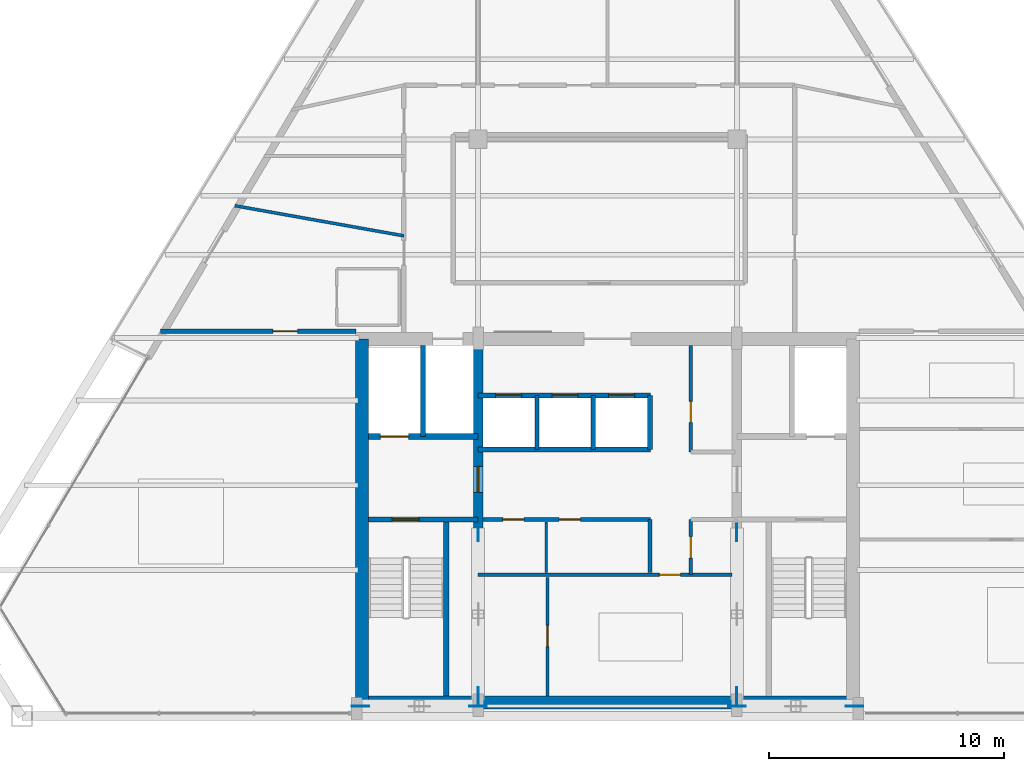
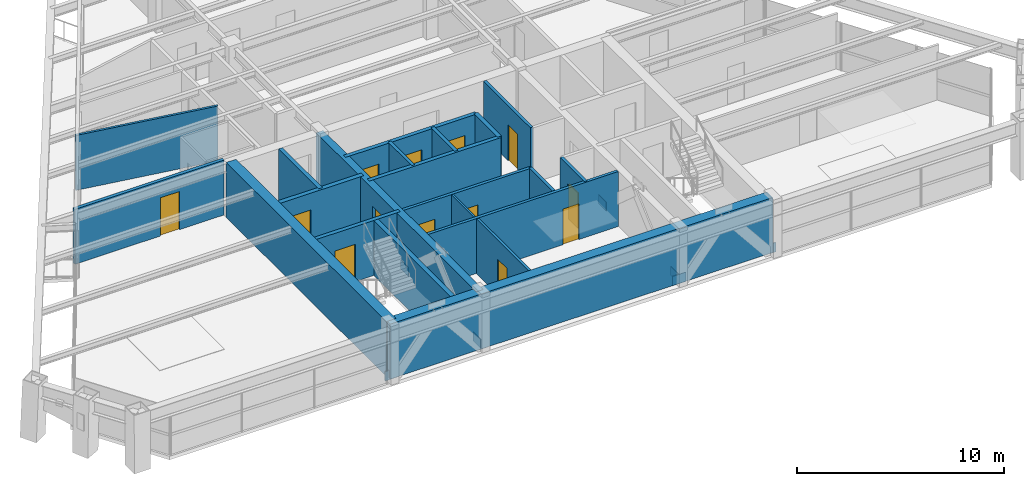
# One storey, part 8 of 12: 21 walls, 13 doors, 8 plates, 13 openings.
"""IFC4 building model written with IfcOpenShell, lengths in metres."""

from ifc_helpers import new_model, si_unit, direction, frame, frame_2d, origin, origin_2d, place, context, subcontext, project, spatial, rectangle, extrude, source, transform, mapped, material, layer, layer_set, type_object, type_shapes, element, fill, save


model = new_model("IFC4")

# Units and contexts
model_context = context("Model", 3, precision=1e-05, world=origin(), true_north=direction((0.0, 1.0)))
body_context = subcontext(model_context, "Body", "Model", "MODEL_VIEW")
ifc_project = project(units=[si_unit("LENGTHUNIT", "METRE"), si_unit("AREAUNIT", "SQUARE_METRE"), si_unit("VOLUMEUNIT", "CUBIC_METRE"), si_unit("PLANEANGLEUNIT", "RADIAN"), si_unit("MASSUNIT", "GRAM", prefix="KILO")], contexts=[model_context])

# Site, building, storey
site_placement = place(None, origin())
site = spatial("IfcSite", under=ifc_project, at=site_placement, CompositionType="ELEMENT")
building_placement = place(site_placement, origin())
building = spatial("IfcBuilding", under=site, at=building_placement, Name="Varnakhor Terracotta Tower", CompositionType="ELEMENT")
storey_placement = place(building_placement, frame((0.0, 0.0, 233.800048828125)))
storey = spatial("IfcBuildingStorey", under=building, at=storey_placement, Name="L60", CompositionType="ELEMENT", Elevation=233.800048828125)

# Plates
ifc_material_1 = material(Name="Steel S460", Category="steel")
ifc_layer_1 = layer(ifc_material_1, 0.050048828125, Name="Steel S460")
ifc_layer_set_1 = layer_set([ifc_layer_1], Name="Steel S460")
plate_type = type_object("IfcPlateType", Name="PLT-GUSSET-50", PredefinedType="USERDEFINED", material=ifc_layer_set_1)
shared_shape_1 = source(origin(), body_context, "Body", "SweptSolid", [
    extrude(rectangle(XDim=0.75, YDim=0.0400390625, at=origin_2d()), origin(), (0.0, 0.0, 1.0), 0.550048828125),
])
type_shapes(plate_type, [shared_shape_1])
for number, where, z_axis, x_axis, name in (
    (1, (-10.5, 0.419921875, -0.09521484375), (0.0, 0.0, 1.0), (1.0, 0.0, 0.0), "L60 Core Brace Embed Plate CSWA"),
    (2, (-5.5, 0.419921875, -0.09521484375), (0.0, 0.0, 1.0), (1.0, 0.0, 0.0), "L60 Core Brace Embed Plate CSWB"),
    (3, (5.5, 0.419921875, -0.09521484375), (0.0, 0.0, 1.0), (1.0, 0.0, 0.0), "L60 Core Brace Embed Plate CSEA"),
    (4, (10.5, 0.419921875, -0.09521484375), (0.0, 0.0, 1.0), (1.0, 0.0, 0.0), "L60 Core Brace Embed Plate CSEB"),
    (5, (-5.5, 0.85009765625, -0.09521484375), (0.0, 0.0, 1.0), (0.0, 1.0, 0.0), "L60 Core Brace Embed Plate CWWA"),
    (6, (-5.5, 7.800048828125, -0.09521484375), (0.0, 0.0, 1.0), (0.0, 1.0, 0.0), "L60 Core Brace Embed Plate CWWB"),
    (7, (5.5, 0.85009765625, -0.09521484375), (0.0, 0.0, 1.0), (0.0, 1.0, 0.0), "L60 Core Brace Embed Plate CWEA"),
    (8, (5.5, 7.800048828125, -0.09521484375), (0.0, 0.0, 1.0), (0.0, 1.0, 0.0), "L60 Core Brace Embed Plate CWEB"),
):
    element("IfcPlate", number, at=place(storey_placement, frame(where, z_axis=z_axis, x_axis=x_axis)), inside=storey, type_object=plate_type, Name=name, ObjectType="GUSSET PLATE", PredefinedType="USERDEFINED", context=body_context, shape_type="MappedRepresentation", body=[
        mapped(shared_shape_1, transform((0.0, 0.0, 0.0), scale=1.0)),
    ])

# Walls
ifc_material_2 = material(Name="Concrete C50/60", Category="concrete")
ifc_layer_2 = layer(ifc_material_2, 0.550048828125, Name="Concrete C50/60")
ifc_layer_set_2 = layer_set([ifc_layer_2], Name="Concrete C50/60")
wall_type_1 = type_object("IfcWallType", Name="WAL-CORE-550", PredefinedType="SHEAR", material=ifc_layer_set_2)
wall_1_placement = place(storey_placement, frame((-10.64990234375, 0.574951171875, 0.0), z_axis=(0.0, 0.0, 1.0), x_axis=(1.0, 0.0, 0.0)))
element("IfcWall", 9, at=wall_1_placement, inside=storey, type_object=wall_type_1, Name="L60 South Core Shear Wall", PredefinedType="SHEAR", context=body_context, shape_type="SweptSolid", body=[
    extrude(rectangle(XDim=21.2998046875, YDim=0.550048828125, at=frame_2d((10.64990234375, 0.0))), origin(), (0.0, 0.0, 1.0), 3.239990234375),
])
wall_2_placement = place(storey_placement, frame((-10.425048828125, 0.574951171875, 0.0), z_axis=(0.0, 0.0, 1.0), x_axis=(0.0, 1.0, 0.0)))
element("IfcWall", 10, at=wall_2_placement, inside=storey, type_object=wall_type_1, Name="L60 West Core Shear Wall", PredefinedType="SHEAR", context=body_context, shape_type="SweptSolid", body=[
    extrude(rectangle(XDim=15.449951171875, YDim=0.550048828125, at=frame_2d((7.72509765625, 0.0))), origin(), (0.0, 0.0, 1.0), 3.239990234375),
])

# Wall, opening, door
ifc_layer_3 = layer(ifc_material_2, 0.39990234375, Name="Concrete C50/60")
ifc_layer_set_3 = layer_set([ifc_layer_3], Name="Concrete C50/60")
wall_type_2 = type_object("IfcWallType", Name="WAL-CORE-WEB-400", PredefinedType="SHEAR", material=ifc_layer_set_3)
wall_3_placement = place(storey_placement, frame((-5.5, 0.574951171875, 0.0), z_axis=(0.0, 0.0, 1.0), x_axis=(0.0, 1.0, 0.0)))
wall_3 = element("IfcWall", 11, at=wall_3_placement, inside=storey, type_object=wall_type_2, Name="L60 West Core Web Shear Wall", PredefinedType="SHEAR", context=body_context, shape_type="SweptSolid", body=[
    extrude(rectangle(XDim=15.449951171875, YDim=0.39990234375, at=frame_2d((7.72509765625, 0.0))), origin(), (0.0, 0.0, 1.0), 3.239990234375),
])
opening_1_placement = place(wall_3_placement, frame((8.925048828125, 0.0, 0.0)))
opening_1 = element("IfcOpeningElement", 12, at=opening_1_placement, cuts=wall_3, Name="Opening DR-25", PredefinedType="OPENING", context=body_context, shape_type="SweptSolid", body=[
    extrude(rectangle(XDim=1.10009765625, YDim=2.199951171875, at=frame_2d((0.550048828125, 1.10009765625))), frame((0.0, 0.2099609375, 0.0), z_axis=(0.0, -1.0, 0.0), x_axis=(1.0, 0.0, 0.0)), (0.0, 0.0, 1.0), 0.419921875),
])
ifc_material_3 = material(Name="Firefighting Lobby Self-Closing Fire Door", Category="steel")
door_type_1 = type_object("IfcDoorType", Name="DR-FFL-1100X2200", OperationType="NOTDEFINED", PredefinedType="DOOR", material=ifc_material_3)
shared_shape_2 = source(origin(), body_context, "Body", "SweptSolid", [
    extrude(rectangle(XDim=1.10009765625, YDim=2.199951171875, at=frame_2d((0.550048828125, 1.10009765625))), frame((0.0, 0.02490234375, 0.0), z_axis=(0.0, -1.0, 0.0), x_axis=(1.0, 0.0, 0.0)), (0.0, 0.0, 1.0), 0.050048828125),
])
type_shapes(door_type_1, [shared_shape_2])
door_1_placement = place(opening_1_placement, origin())
door_1 = element("IfcDoor", 13, at=door_1_placement, inside=storey, type_object=door_type_1, Name="L60 West Firefighting Lobby Door", OperationType="SINGLE_SWING_RIGHT", OverallHeight=2.199951171875, OverallWidth=1.10009765625, PredefinedType="DOOR", context=body_context, shape_type="MappedRepresentation", body=[
    mapped(shared_shape_2, transform((0.0, 0.0, 0.0), scale=1.0)),
])
fill(opening_1, door_1)

ifc_material_4 = material(Name="Fire-Rated Gypsum Stud Partition", Category="gypsum")
ifc_layer_4 = layer(ifc_material_4, 0.18505859375, Name="Fire-Rated Gypsum Stud Partition")
ifc_layer_set_4 = layer_set([ifc_layer_4], Name="Fire-Rated Gypsum Stud Partition")
wall_type_3 = type_object("IfcWallType", Name="WAL-CORR-185", PredefinedType="PARTITIONING", material=ifc_layer_set_4)
wall_4_placement = place(storey_placement, frame((-18.98974609375, 16.35009765625, 0.0), z_axis=(0.0, 0.0, 1.0), x_axis=(1.0, 0.0, 0.0)))
wall_4 = element("IfcWall", 14, at=wall_4_placement, inside=storey, type_object=wall_type_3, Name="L60 South West Guest Entry Wall", PredefinedType="PARTITIONING", context=body_context, shape_type="SweptSolid", body=[
    extrude(rectangle(XDim=8.309814453125, YDim=0.18505859375, at=frame_2d((4.15478515625, 0.0))), origin(), (0.0, 0.0, 1.0), 3.23193359375),
])
opening_2_placement = place(wall_4_placement, frame((4.7744140625, 0.0, 0.0)))
opening_2 = element("IfcOpeningElement", 15, at=opening_2_placement, cuts=wall_4, Name="Opening DR-95", PredefinedType="OPENING", context=body_context, shape_type="SweptSolid", body=[
    extrude(rectangle(XDim=1.050048828125, YDim=2.25, at=frame_2d((0.52490234375, 1.125))), frame((0.0, 0.1025390625, 0.0), z_axis=(0.0, -1.0, 0.0), x_axis=(1.0, 0.0, 0.0)), (0.0, 0.0, 1.0), 0.205078125),
])
ifc_material_5 = material(Name="Solid-Core Timber Tenant/Hotel Entrance Door", Category="wood")
door_type_2 = type_object("IfcDoorType", Name="DR-SUITE-1050X2250", OperationType="NOTDEFINED", PredefinedType="DOOR", material=ifc_material_5)
shared_shape_3 = source(origin(), body_context, "Body", "SweptSolid", [
    extrude(rectangle(XDim=1.050048828125, YDim=2.25, at=frame_2d((0.52490234375, 1.125))), frame((0.0, 0.02490234375, 0.0), z_axis=(0.0, -1.0, 0.0), x_axis=(1.0, 0.0, 0.0)), (0.0, 0.0, 1.0), 0.050048828125),
])
type_shapes(door_type_2, [shared_shape_3])
door_2_placement = place(opening_2_placement, origin())
door_2 = element("IfcDoor", 16, at=door_2_placement, inside=storey, type_object=door_type_2, Name="L60 SW Suite Entry Door", OperationType="SINGLE_SWING_RIGHT", OverallHeight=2.25, OverallWidth=1.050048828125, PredefinedType="DOOR", context=body_context, shape_type="MappedRepresentation", body=[
    mapped(shared_shape_3, transform((0.0, 0.0, 0.0), scale=1.0)),
])
fill(opening_2, door_2)

ifc_material_6 = material(Name="Concrete C40/50", Category="concrete")
ifc_layer_5 = layer(ifc_material_6, 0.219970703125, Name="Concrete C40/50")
ifc_layer_set_5 = layer_set([ifc_layer_5], Name="Concrete C40/50")
wall_type_4 = type_object("IfcWallType", Name="WAL-FFLOBBY-220", PredefinedType="SOLIDWALL", material=ifc_layer_set_5)
wall_5_placement = place(storey_placement, frame((-5.5, 8.35009765625, 0.0), z_axis=(0.0, 0.0, 1.0), x_axis=(-1.0, 0.0, 0.0)))
wall_5 = element("IfcWall", 17, at=wall_5_placement, inside=storey, type_object=wall_type_4, Name="L60 West Firefighting Lobby Stair Wall", PredefinedType="SOLIDWALL", context=body_context, shape_type="SweptSolid", body=[
    extrude(rectangle(XDim=4.64990234375, YDim=0.219970703125, at=frame_2d((2.324951171875, 0.0))), origin(), (0.0, 0.0, 1.0), 3.239990234375),
])
opening_3_placement = place(wall_5_placement, frame((2.5, 0.0, 0.0)))
opening_3 = element("IfcOpeningElement", 18, at=opening_3_placement, cuts=wall_5, Name="Opening DR-34", PredefinedType="OPENING", context=body_context, shape_type="SweptSolid", body=[
    extrude(rectangle(XDim=1.14990234375, YDim=2.199951171875, at=frame_2d((0.574951171875, 1.10009765625))), frame((0.0, 0.1201171875, 0.0), z_axis=(0.0, -1.0, 0.0), x_axis=(1.0, 0.0, 0.0)), (0.0, 0.0, 1.0), 0.239990234375),
])
ifc_material_7 = material(Name="Self-Closing Smoke-Sealed Steel Fire Door", Category="steel")
door_type_3 = type_object("IfcDoorType", Name="DR-STAIR-1150X2200", OperationType="NOTDEFINED", PredefinedType="DOOR", material=ifc_material_7)
shared_shape_4 = source(origin(), body_context, "Body", "SweptSolid", [
    extrude(rectangle(XDim=1.14990234375, YDim=2.199951171875, at=frame_2d((0.574951171875, 1.10009765625))), frame((0.0, 0.02490234375, 0.0), z_axis=(0.0, -1.0, 0.0), x_axis=(1.0, 0.0, 0.0)), (0.0, 0.0, 1.0), 0.050048828125),
])
type_shapes(door_type_3, [shared_shape_4])
door_3_placement = place(opening_3_placement, origin())
door_3 = element("IfcDoor", 19, at=door_3_placement, inside=storey, type_object=door_type_3, Name="L60 Exit Stair ST-1 Fire Door", OperationType="SINGLE_SWING_LEFT", OverallHeight=2.199951171875, OverallWidth=1.14990234375, PredefinedType="DOOR", context=body_context, shape_type="MappedRepresentation", body=[
    mapped(shared_shape_4, transform((0.0, 0.0, 0.0), scale=1.0)),
])
fill(opening_3, door_3)

# Walls
ifc_material_8 = material(Name="Acoustic Hotel Room Partition", Category="gypsum")
ifc_layer_6 = layer(ifc_material_8, 0.1298828125, Name="Acoustic Hotel Room Partition")
ifc_layer_set_6 = layer_set([ifc_layer_6], Name="Acoustic Hotel Room Partition")
wall_type_5 = type_object("IfcWallType", Name="WAL-PART-130", PredefinedType="PARTITIONING", material=ifc_layer_set_6)
wall_6_placement = place(storey_placement, frame((-15.83203125, 21.6796875, 0.0), z_axis=(0.0, 0.0, 1.0), x_axis=(0.984492454021, -0.175426930586, 0.0)))
element("IfcWall", 20, at=wall_6_placement, inside=storey, type_object=wall_type_5, Name="L60 West Key Cut 1", PredefinedType="PARTITIONING", context=body_context, shape_type="SweptSolid", body=[
    extrude(rectangle(XDim=7.295166015625, YDim=0.1298828125, at=frame_2d((3.6474609375, 0.0))), origin(), (0.0, 0.0, 1.0), 3.23193359375),
])
ifc_layer_7 = layer(ifc_material_6, 0.179931640625, Name="Concrete C40/50")
ifc_layer_set_7 = layer_set([ifc_layer_7], Name="Concrete C40/50")
wall_type_6 = type_object("IfcWallType", Name="WAL-SHAFT-180", PredefinedType="SOLIDWALL", material=ifc_layer_set_7)
for number, where, z_axis, x_axis, name in (
    (21, (-3.0, 11.320068359375, 0.0), (0.0, 0.0, 1.0), (0.0, 1.0, 0.0), "L60 PL-3A Divider"),
    (22, (-0.60009765625, 11.320068359375, 0.0), (0.0, 0.0, 1.0), (0.0, 1.0, 0.0), "L60 PL-3B Divider"),
):
    element("IfcWall", number, at=place(storey_placement, frame(where, z_axis=z_axis, x_axis=x_axis)), inside=storey, type_object=wall_type_6, Name=name, PredefinedType="SOLIDWALL", context=body_context, shape_type="SweptSolid", body=[
        extrude(rectangle(XDim=2.300048828125, YDim=0.179931640625, at=frame_2d((1.14990234375, 0.0))), origin(), (0.0, 0.0, 1.0), 3.239990234375),
    ])
ifc_layer_8 = layer(ifc_material_6, 0.219970703125, Name="Concrete C40/50")
ifc_layer_set_8 = layer_set([ifc_layer_8], Name="Concrete C40/50")
wall_type_7 = type_object("IfcWallType", Name="WAL-SHAFT-220", PredefinedType="SOLIDWALL", material=ifc_layer_set_8)
wall_7_placement = place(storey_placement, frame((-7.840087890625, 11.8701171875, 0.0), z_axis=(0.0, 0.0, 1.0), x_axis=(0.0, 1.0, 0.0)))
element("IfcWall", 23, at=wall_7_placement, inside=storey, type_object=wall_type_7, Name="L60 Lift FFL-1 and SVL-1 Divider Wall", PredefinedType="SOLIDWALL", context=body_context, shape_type="SweptSolid", body=[
    extrude(rectangle(XDim=3.8798828125, YDim=0.219970703125, at=frame_2d((1.93994140625, 0.0))), origin(), (0.0, 0.0, 1.0), 3.239990234375),
])
wall_8_placement = place(storey_placement, frame((-5.5, 11.320068359375, 0.0), z_axis=(0.0, 0.0, 1.0), x_axis=(1.0, 0.0, 0.0)))
element("IfcWall", 24, at=wall_8_placement, inside=storey, type_object=wall_type_7, Name="L60 Bank 3 South Shaft Wall", PredefinedType="SOLIDWALL", context=body_context, shape_type="SweptSolid", body=[
    extrude(rectangle(XDim=7.320068359375, YDim=0.219970703125, at=frame_2d((3.66015625, 0.0))), origin(), (0.0, 0.0, 1.0), 3.239990234375),
])

# Wall, openings, doors
wall_9_placement = place(storey_placement, frame((-5.5, 13.6201171875, 0.0), z_axis=(0.0, 0.0, 1.0), x_axis=(1.0, 0.0, 0.0)))
wall_9 = element("IfcWall", 25, at=wall_9_placement, inside=storey, type_object=wall_type_7, Name="L60 Bank 3 North Shaft Wall", PredefinedType="SOLIDWALL", context=body_context, shape_type="SweptSolid", body=[
    extrude(rectangle(XDim=7.320068359375, YDim=0.219970703125, at=frame_2d((3.66015625, 0.0))), origin(), (0.0, 0.0, 1.0), 3.239990234375),
])
opening_4_placement = place(wall_9_placement, frame((0.75, 0.0, 0.0)))
opening_4 = element("IfcOpeningElement", 26, at=opening_4_placement, cuts=wall_9, Name="Opening LD-01", PredefinedType="OPENING", context=body_context, shape_type="SweptSolid", body=[
    extrude(rectangle(XDim=1.10009765625, YDim=2.199951171875, at=frame_2d((0.550048828125, 1.10009765625))), frame((0.0, 0.1201171875, 0.0), z_axis=(0.0, -1.0, 0.0), x_axis=(1.0, 0.0, 0.0)), (0.0, 0.0, 1.0), 0.239990234375),
])
opening_5_placement = place(wall_9_placement, frame((3.14990234375, 0.0, 0.0)))
opening_5 = element("IfcOpeningElement", 27, at=opening_5_placement, cuts=wall_9, Name="Opening LD-01", PredefinedType="OPENING", context=body_context, shape_type="SweptSolid", body=[
    extrude(rectangle(XDim=1.10009765625, YDim=2.199951171875, at=frame_2d((0.550048828125, 1.10009765625))), frame((0.0, 0.1201171875, 0.0), z_axis=(0.0, -1.0, 0.0), x_axis=(1.0, 0.0, 0.0)), (0.0, 0.0, 1.0), 0.239990234375),
])
opening_6_placement = place(wall_9_placement, frame((5.550048828125, 0.0, 0.0)))
opening_6 = element("IfcOpeningElement", 28, at=opening_6_placement, cuts=wall_9, Name="Opening LD-01", PredefinedType="OPENING", context=body_context, shape_type="SweptSolid", body=[
    extrude(rectangle(XDim=1.10009765625, YDim=2.199951171875, at=frame_2d((0.550048828125, 1.10009765625))), frame((0.0, 0.1201171875, 0.0), z_axis=(0.0, -1.0, 0.0), x_axis=(1.0, 0.0, 0.0)), (0.0, 0.0, 1.0), 0.239990234375),
])
ifc_material_9 = material(Name="Brushed Stainless Steel Sliding Lift Landing Door", Category="steel")
door_type_4 = type_object("IfcDoorType", Name="LD-PASS-1100X2200", OperationType="NOTDEFINED", PredefinedType="DOOR", material=ifc_material_9)
shared_shape_5 = source(origin(), body_context, "Body", "SweptSolid", [
    extrude(rectangle(XDim=1.10009765625, YDim=2.199951171875, at=frame_2d((0.550048828125, 1.10009765625))), frame((0.0, 0.02490234375, 0.0), z_axis=(0.0, -1.0, 0.0), x_axis=(1.0, 0.0, 0.0)), (0.0, 0.0, 1.0), 0.050048828125),
])
type_shapes(door_type_4, [shared_shape_5])
door_4_placement = place(opening_4_placement, origin())
door_4 = element("IfcDoor", 29, at=door_4_placement, inside=storey, type_object=door_type_4, Name="L60 Passenger Lift PL-3A Landing Door", OperationType="SLIDING_TO_RIGHT", OverallHeight=2.199951171875, OverallWidth=1.10009765625, PredefinedType="DOOR", context=body_context, shape_type="MappedRepresentation", body=[
    mapped(shared_shape_5, transform((0.0, 0.0, 0.0), scale=1.0)),
])
fill(opening_4, door_4)
door_5_placement = place(opening_5_placement, origin())
door_5 = element("IfcDoor", 30, at=door_5_placement, inside=storey, type_object=door_type_4, Name="L60 Passenger Lift PL-3B Landing Door", OperationType="SLIDING_TO_RIGHT", OverallHeight=2.199951171875, OverallWidth=1.10009765625, PredefinedType="DOOR", context=body_context, shape_type="MappedRepresentation", body=[
    mapped(shared_shape_5, transform((0.0, 0.0, 0.0), scale=1.0)),
])
fill(opening_5, door_5)
door_6_placement = place(opening_6_placement, origin())
door_6 = element("IfcDoor", 31, at=door_6_placement, inside=storey, type_object=door_type_4, Name="L60 Passenger Lift PL-3C Landing Door", OperationType="SLIDING_TO_RIGHT", OverallHeight=2.199951171875, OverallWidth=1.10009765625, PredefinedType="DOOR", context=body_context, shape_type="MappedRepresentation", body=[
    mapped(shared_shape_5, transform((0.0, 0.0, 0.0), scale=1.0)),
])
fill(opening_6, door_6)

# Walls
wall_10_placement = place(storey_placement, frame((1.800048828125, 11.320068359375, 0.0), z_axis=(0.0, 0.0, 1.0), x_axis=(0.0, 1.0, 0.0)))
element("IfcWall", 32, at=wall_10_placement, inside=storey, type_object=wall_type_7, Name="L60 Bank 3 East Shaft Wall", PredefinedType="SOLIDWALL", context=body_context, shape_type="SweptSolid", body=[
    extrude(rectangle(XDim=2.300048828125, YDim=0.219970703125, at=frame_2d((1.14990234375, 0.0))), origin(), (0.0, 0.0, 1.0), 3.239990234375),
])
ifc_layer_9 = layer(ifc_material_6, 0.25, Name="Concrete C40/50")
ifc_layer_set_9 = layer_set([ifc_layer_9], Name="Concrete C40/50")
wall_type_8 = type_object("IfcWallType", Name="WAL-SHAFT-250", PredefinedType="SOLIDWALL", material=ifc_layer_set_9)
wall_11_placement = place(storey_placement, frame((-6.85009765625, 0.85009765625, 0.0), z_axis=(0.0, 0.0, 1.0), x_axis=(0.0, 1.0, 0.0)))
element("IfcWall", 33, at=wall_11_placement, inside=storey, type_object=wall_type_8, Name="L60 Stair ST-1 Bearing Shaft Wall", PredefinedType="SOLIDWALL", context=body_context, shape_type="SweptSolid", body=[
    extrude(rectangle(XDim=7.5, YDim=0.25, at=frame_2d((3.75, 0.0))), origin(), (0.0, 0.0, 1.0), 3.239990234375),
])

# Wall, opening, door
wall_12_placement = place(storey_placement, frame((-5.5, 11.8701171875, 0.0), z_axis=(0.0, 0.0, 1.0), x_axis=(-1.0, 0.0, 0.0)))
wall_12 = element("IfcWall", 34, at=wall_12_placement, inside=storey, type_object=wall_type_8, Name="L60 Lift FFL-1 Shaft Front Wall", PredefinedType="SOLIDWALL", context=body_context, shape_type="SweptSolid", body=[
    extrude(rectangle(XDim=4.64990234375, YDim=0.25, at=frame_2d((2.324951171875, 0.0))), origin(), (0.0, 0.0, 1.0), 3.239990234375),
])
opening_7_placement = place(wall_12_placement, frame((2.949951171875, 0.0, 0.0)))
opening_7 = element("IfcOpeningElement", 35, at=opening_7_placement, cuts=wall_12, Name="Opening LD-02", PredefinedType="OPENING", context=body_context, shape_type="SweptSolid", body=[
    extrude(rectangle(XDim=1.199951171875, YDim=2.25, at=frame_2d((0.60009765625, 1.125))), frame((0.0, 0.135009765625, 0.0), z_axis=(0.0, -1.0, 0.0), x_axis=(1.0, 0.0, 0.0)), (0.0, 0.0, 1.0), 0.27001953125),
])
ifc_material_10 = material(Name="Firefighting Stretcher Sliding Lift Landing Door", Category="steel")
door_type_5 = type_object("IfcDoorType", Name="LD-FFL-1200X2250", OperationType="NOTDEFINED", PredefinedType="DOOR", material=ifc_material_10)
shared_shape_6 = source(origin(), body_context, "Body", "SweptSolid", [
    extrude(rectangle(XDim=1.199951171875, YDim=2.25, at=frame_2d((0.60009765625, 1.125))), frame((0.0, 0.02490234375, 0.0), z_axis=(0.0, -1.0, 0.0), x_axis=(1.0, 0.0, 0.0)), (0.0, 0.0, 1.0), 0.050048828125),
])
type_shapes(door_type_5, [shared_shape_6])
door_7_placement = place(opening_7_placement, origin())
door_7 = element("IfcDoor", 36, at=door_7_placement, inside=storey, type_object=door_type_5, Name="L60 Firefighting Lift FFL-1 Landing Door", OperationType="SLIDING_TO_LEFT", OverallHeight=2.25, OverallWidth=1.199951171875, PredefinedType="DOOR", context=body_context, shape_type="MappedRepresentation", body=[
    mapped(shared_shape_6, transform((0.0, 0.0, 0.0), scale=1.0)),
])
fill(opening_7, door_7)

# Wall
ifc_material_11 = material(Name="Acoustic Fire-Rated Partition", Category="gypsum")
ifc_layer_10 = layer(ifc_material_11, 0.114990234375, Name="Acoustic Fire-Rated Partition")
ifc_layer_set_10 = layer_set([ifc_layer_10], Name="Acoustic Fire-Rated Partition")
wall_type_9 = type_object("IfcWallType", Name="WAL-TENANCY-115", PredefinedType="PARTITIONING", material=ifc_layer_set_10)
wall_13_placement = place(storey_placement, frame((-2.60009765625, 6.10009765625, 0.0), z_axis=(0.0, 0.0, 1.0), x_axis=(0.0, 1.0, 0.0)))
element("IfcWall", 37, at=wall_13_placement, inside=storey, type_object=wall_type_9, Name="L60 Reclaimed Mid-Core Split Wall", PredefinedType="PARTITIONING", context=body_context, shape_type="SweptSolid", body=[
    extrude(rectangle(XDim=2.14990234375, YDim=0.114990234375, at=frame_2d((1.074951171875, 0.0))), origin(), (0.0, 0.0, 1.0), 3.23193359375),
])

# Wall, opening, door
ifc_layer_11 = layer(ifc_material_11, 0.139892578125, Name="Acoustic Fire-Rated Partition")
ifc_layer_set_11 = layer_set([ifc_layer_11], Name="Acoustic Fire-Rated Partition")
wall_type_10 = type_object("IfcWallType", Name="WAL-TENANCY-140", PredefinedType="PARTITIONING", material=ifc_layer_set_11)
wall_14_placement = place(storey_placement, frame((-2.550048828125, 0.85009765625, 0.0), z_axis=(0.0, 0.0, 1.0), x_axis=(0.0, 1.0, 0.0)))
wall_14 = element("IfcWall", 38, at=wall_14_placement, inside=storey, type_object=wall_type_10, Name="L60 Reclaimed Core Bay Split Wall", PredefinedType="PARTITIONING", context=body_context, shape_type="SweptSolid", body=[
    extrude(rectangle(XDim=5.02978515625, YDim=0.139892578125, at=frame_2d((2.514892578125, 0.0))), origin(), (0.0, 0.0, 1.0), 3.23193359375),
])
opening_8_placement = place(wall_14_placement, frame((2.10009765625, 0.0, 0.0)))
opening_8 = element("IfcOpeningElement", 39, at=opening_8_placement, cuts=wall_14, Name="Opening DR-67", PredefinedType="OPENING", context=body_context, shape_type="SweptSolid", body=[
    extrude(rectangle(XDim=0.89990234375, YDim=2.10009765625, at=frame_2d((0.449951171875, 1.050048828125))), frame((0.0, 0.080078125, 0.0), z_axis=(0.0, -1.0, 0.0), x_axis=(1.0, 0.0, 0.0)), (0.0, 0.0, 1.0), 0.159912109375),
])
ifc_material_12 = material(Name="Steel Service Riser Fire Door", Category="steel")
door_type_6 = type_object("IfcDoorType", Name="DR-RISER-900X2100", OperationType="NOTDEFINED", PredefinedType="DOOR", material=ifc_material_12)
shared_shape_7 = source(origin(), body_context, "Body", "SweptSolid", [
    extrude(rectangle(XDim=0.89990234375, YDim=2.10009765625, at=frame_2d((0.449951171875, 1.050048828125))), frame((0.0, 0.02490234375, 0.0), z_axis=(0.0, -1.0, 0.0), x_axis=(1.0, 0.0, 0.0)), (0.0, 0.0, 1.0), 0.050048828125),
])
type_shapes(door_type_6, [shared_shape_7])
door_8_placement = place(opening_8_placement, origin())
door_8 = element("IfcDoor", 40, at=door_8_placement, inside=storey, type_object=door_type_6, Name="L60 Core Inner Service Door", OperationType="SINGLE_SWING_RIGHT", OverallHeight=2.10009765625, OverallWidth=0.89990234375, PredefinedType="DOOR", context=body_context, shape_type="MappedRepresentation", body=[
    mapped(shared_shape_7, transform((0.0, 0.0, 0.0), scale=1.0)),
])
fill(opening_8, door_8)

ifc_layer_12 = layer(ifc_material_11, 0.1650390625, Name="Acoustic Fire-Rated Partition")
ifc_layer_set_12 = layer_set([ifc_layer_12], Name="Acoustic Fire-Rated Partition")
wall_type_11 = type_object("IfcWallType", Name="WAL-TENANCY-165", PredefinedType="PARTITIONING", material=ifc_layer_set_12)
wall_15_placement = place(storey_placement, frame((-5.5, 6.0, 0.0), z_axis=(0.0, 0.0, 1.0), x_axis=(1.0, 0.0, 0.0)))
wall_15 = element("IfcWall", 41, at=wall_15_placement, inside=storey, type_object=wall_type_11, Name="L60 Reclaimed Core Bay North Rated Wall", PredefinedType="PARTITIONING", context=body_context, shape_type="SweptSolid", body=[
    extrude(rectangle(XDim=10.800048828125, YDim=0.1650390625, at=frame_2d((5.39990234375, 0.0))), origin(), (0.0, 0.0, 1.0), 3.23193359375),
])
opening_9_placement = place(wall_15_placement, frame((7.699951171875, 0.0, 0.0)))
opening_9 = element("IfcOpeningElement", 42, at=opening_9_placement, cuts=wall_15, Name="Opening DR-67", PredefinedType="OPENING", context=body_context, shape_type="SweptSolid", body=[
    extrude(rectangle(XDim=0.89990234375, YDim=2.10009765625, at=frame_2d((0.449951171875, 1.050048828125))), frame((0.0, 0.092529296875, 0.0), z_axis=(0.0, -1.0, 0.0), x_axis=(1.0, 0.0, 0.0)), (0.0, 0.0, 1.0), 0.18505859375),
])
door_9_placement = place(opening_9_placement, origin())
door_9 = element("IfcDoor", 43, at=door_9_placement, inside=storey, type_object=door_type_6, Name="L60 Core Reclaimed Suite Door", OperationType="SINGLE_SWING_LEFT", OverallHeight=2.10009765625, OverallWidth=0.89990234375, PredefinedType="DOOR", context=body_context, shape_type="MappedRepresentation", body=[
    mapped(shared_shape_7, transform((0.0, 0.0, 0.0), scale=1.0)),
])
fill(opening_9, door_9)

wall_16_placement = place(storey_placement, frame((3.5400390625, 6.0, 0.0), z_axis=(0.0, 0.0, 1.0), x_axis=(0.0, 1.0, 0.0)))
wall_16 = element("IfcWall", 44, at=wall_16_placement, inside=storey, type_object=wall_type_11, Name="L60 Accessible WC Rated Wall", PredefinedType="PARTITIONING", context=body_context, shape_type="SweptSolid", body=[
    extrude(rectangle(XDim=2.340087890625, YDim=0.1650390625, at=frame_2d((1.169921875, 0.0))), origin(), (0.0, 0.0, 1.0), 3.23193359375),
])
opening_10_placement = place(wall_16_placement, frame((0.719970703125, 0.0, 0.0)))
opening_10 = element("IfcOpeningElement", 45, at=opening_10_placement, cuts=wall_16, Name="Opening DR-67", PredefinedType="OPENING", context=body_context, shape_type="SweptSolid", body=[
    extrude(rectangle(XDim=0.89990234375, YDim=2.10009765625, at=frame_2d((0.449951171875, 1.050048828125))), frame((0.0, 0.092529296875, 0.0), z_axis=(0.0, -1.0, 0.0), x_axis=(1.0, 0.0, 0.0)), (0.0, 0.0, 1.0), 0.18505859375),
])
door_10_placement = place(opening_10_placement, origin())
door_10 = element("IfcDoor", 46, at=door_10_placement, inside=storey, type_object=door_type_6, Name="L60 Accessible WC Door", OperationType="SINGLE_SWING_LEFT", OverallHeight=2.10009765625, OverallWidth=0.89990234375, PredefinedType="DOOR", context=body_context, shape_type="MappedRepresentation", body=[
    mapped(shared_shape_7, transform((0.0, 0.0, 0.0), scale=1.0)),
])
fill(opening_10, door_10)

# Wall, openings, doors
wall_17_placement = place(storey_placement, frame((-5.300048828125, 8.35009765625, 0.0), z_axis=(0.0, 0.0, 1.0), x_axis=(1.0, 0.0, 0.0)))
wall_17 = element("IfcWall", 47, at=wall_17_placement, inside=storey, type_object=wall_type_11, Name="L60 Reclaimed Mid-Core North Wall", PredefinedType="PARTITIONING", context=body_context, shape_type="SweptSolid", body=[
    extrude(rectangle(XDim=7.1201171875, YDim=0.1650390625, at=frame_2d((3.56005859375, 0.0))), origin(), (0.0, 0.0, 1.0), 3.23193359375),
])
opening_11_placement = place(wall_17_placement, frame((0.85009765625, 0.0, 0.0)))
opening_11 = element("IfcOpeningElement", 48, at=opening_11_placement, cuts=wall_17, Name="Opening DR-67", PredefinedType="OPENING", context=body_context, shape_type="SweptSolid", body=[
    extrude(rectangle(XDim=0.89990234375, YDim=2.10009765625, at=frame_2d((0.449951171875, 1.050048828125))), frame((0.0, 0.092529296875, 0.0), z_axis=(0.0, -1.0, 0.0), x_axis=(1.0, 0.0, 0.0)), (0.0, 0.0, 1.0), 0.18505859375),
])
opening_12_placement = place(wall_17_placement, frame((3.25, 0.0, 0.0)))
opening_12 = element("IfcOpeningElement", 49, at=opening_12_placement, cuts=wall_17, Name="Opening DR-67", PredefinedType="OPENING", context=body_context, shape_type="SweptSolid", body=[
    extrude(rectangle(XDim=0.89990234375, YDim=2.10009765625, at=frame_2d((0.449951171875, 1.050048828125))), frame((0.0, 0.092529296875, 0.0), z_axis=(0.0, -1.0, 0.0), x_axis=(1.0, 0.0, 0.0)), (0.0, 0.0, 1.0), 0.18505859375),
])
door_11_placement = place(opening_11_placement, origin())
door_11 = element("IfcDoor", 50, at=door_11_placement, inside=storey, type_object=door_type_6, Name="L60 Core West Restroom Door", OperationType="SINGLE_SWING_RIGHT", OverallHeight=2.10009765625, OverallWidth=0.89990234375, PredefinedType="DOOR", context=body_context, shape_type="MappedRepresentation", body=[
    mapped(shared_shape_7, transform((0.0, 0.0, 0.0), scale=1.0)),
])
fill(opening_11, door_11)
door_12_placement = place(opening_12_placement, origin())
door_12 = element("IfcDoor", 51, at=door_12_placement, inside=storey, type_object=door_type_6, Name="L60 Core East Restroom Door", OperationType="SINGLE_SWING_LEFT", OverallHeight=2.10009765625, OverallWidth=0.89990234375, PredefinedType="DOOR", context=body_context, shape_type="MappedRepresentation", body=[
    mapped(shared_shape_7, transform((0.0, 0.0, 0.0), scale=1.0)),
])
fill(opening_12, door_12)

# Wall
wall_18_placement = place(storey_placement, frame((1.800048828125, 6.10009765625, 0.0), z_axis=(0.0, 0.0, 1.0), x_axis=(0.0, 1.0, 0.0)))
element("IfcWall", 52, at=wall_18_placement, inside=storey, type_object=wall_type_11, Name="L60 Reclaimed Mid-Core East Wall", PredefinedType="PARTITIONING", context=body_context, shape_type="SweptSolid", body=[
    extrude(rectangle(XDim=2.25, YDim=0.1650390625, at=frame_2d((1.125, 0.0))), origin(), (0.0, 0.0, 1.0), 3.23193359375),
])

# Wall, opening, door
wall_19_placement = place(storey_placement, frame((3.5400390625, 11.219970703125, 0.0), z_axis=(0.0, 0.0, 1.0), x_axis=(0.0, 1.0, 0.0)))
wall_19 = element("IfcWall", 53, at=wall_19_placement, inside=storey, type_object=wall_type_11, Name="L60 Restroom Corridor Wall", PredefinedType="PARTITIONING", context=body_context, shape_type="SweptSolid", body=[
    extrude(rectangle(XDim=4.530029296875, YDim=0.1650390625, at=frame_2d((2.26513671875, 0.0))), origin(), (0.0, 0.0, 1.0), 3.23193359375),
])
opening_13_placement = place(wall_19_placement, frame((1.25, 0.0, 0.0)))
opening_13 = element("IfcOpeningElement", 54, at=opening_13_placement, cuts=wall_19, Name="Opening DR-67", PredefinedType="OPENING", context=body_context, shape_type="SweptSolid", body=[
    extrude(rectangle(XDim=0.89990234375, YDim=2.10009765625, at=frame_2d((0.449951171875, 1.050048828125))), frame((0.0, 0.092529296875, 0.0), z_axis=(0.0, -1.0, 0.0), x_axis=(1.0, 0.0, 0.0)), (0.0, 0.0, 1.0), 0.18505859375),
])
door_13_placement = place(opening_13_placement, origin())
door_13 = element("IfcDoor", 55, at=door_13_placement, inside=storey, type_object=door_type_6, Name="L60 Female WC Door", OperationType="SINGLE_SWING_RIGHT", OverallHeight=2.10009765625, OverallWidth=0.89990234375, PredefinedType="DOOR", context=body_context, shape_type="MappedRepresentation", body=[
    mapped(shared_shape_7, transform((0.0, 0.0, 0.0), scale=1.0)),
])
fill(opening_13, door_13)

save(model, "model.ifc")
